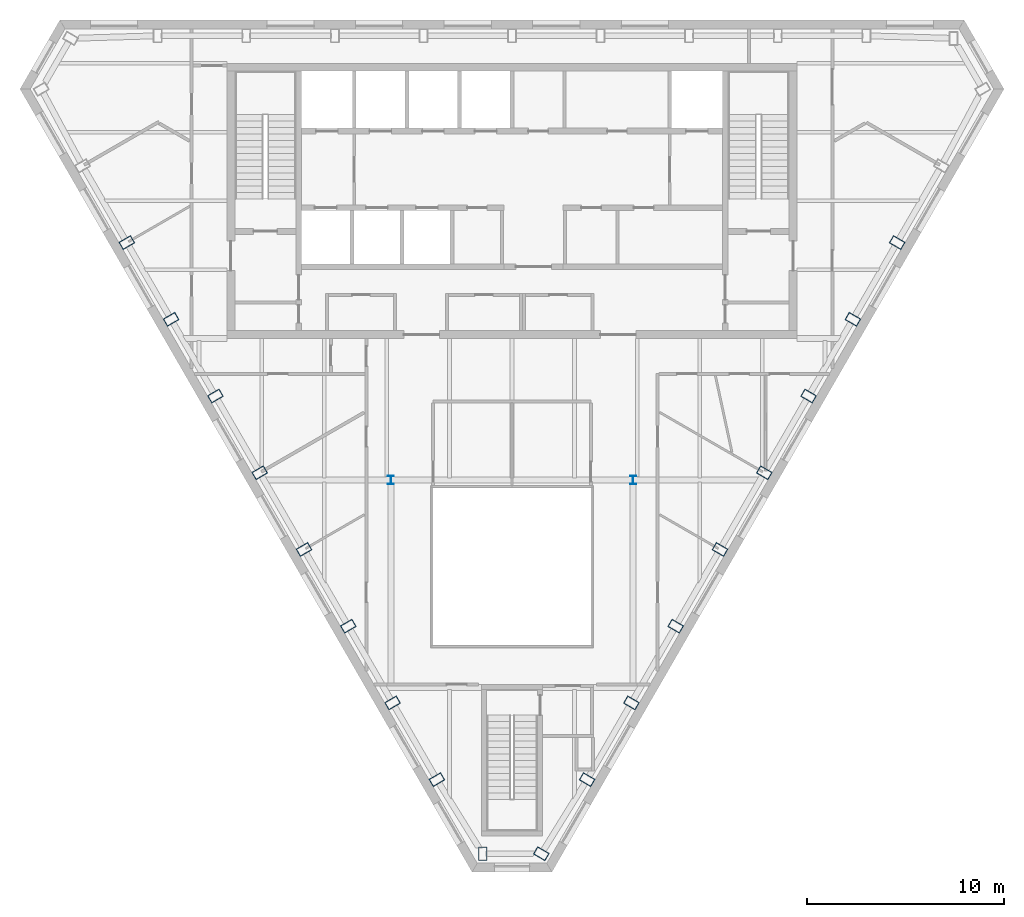
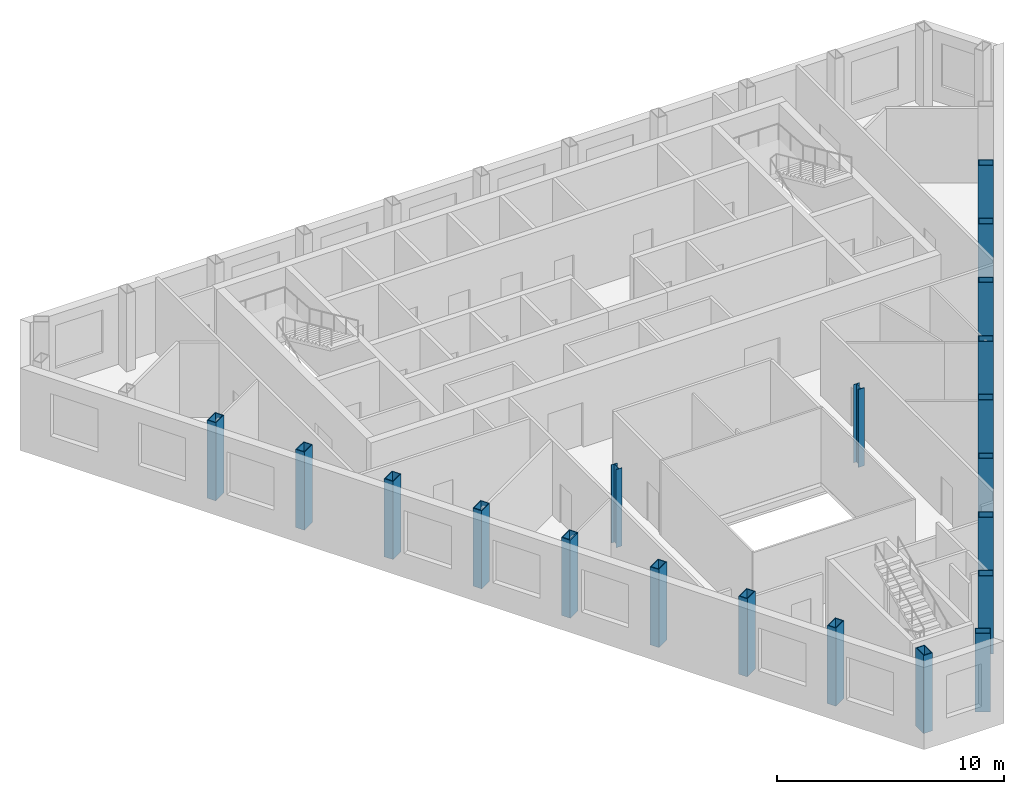
# One storey, part 1 of 10: 20 columns.
"""IFC4 building model written with IfcOpenShell, lengths in metres."""

from ifc_helpers import new_model, si_unit, direction, frame, origin, origin_2d, place, context, subcontext, project, spatial, hollow_rectangle, i_section, extrude, material, material_profile, profile_set, type_object, element, save


model = new_model("IFC4")

# Units and contexts
model_context = context("Model", 3, precision=1e-05, world=origin(), true_north=direction((0.0, 1.0)))
body_context = subcontext(model_context, "Body", "Model", "MODEL_VIEW")
ifc_project = project(units=[si_unit("LENGTHUNIT", "METRE"), si_unit("AREAUNIT", "SQUARE_METRE"), si_unit("VOLUMEUNIT", "CUBIC_METRE"), si_unit("PLANEANGLEUNIT", "RADIAN"), si_unit("MASSUNIT", "GRAM", prefix="KILO")], contexts=[model_context])

# Site, building, storey
site_placement = place(None, origin())
site = spatial("IfcSite", under=ifc_project, at=site_placement, CompositionType="ELEMENT")
building_placement = place(site_placement, origin())
building = spatial("IfcBuilding", under=site, at=building_placement, Name="Njiva Tower", CompositionType="ELEMENT")
storey_placement = place(building_placement, frame((0.0, 0.0, 333.6)))
storey = spatial("IfcBuildingStorey", under=building, at=storey_placement, Name="L76", CompositionType="ELEMENT", Elevation=333.6)

# Columns
ifc_material = material(Name="Steel S355 J2", Category="steel")
ifc_material_profile_1 = material_profile(ifc_material, hollow_rectangle(XDim=0.45, YDim=0.7, WallThickness=0.04, at=origin_2d()), Name="BOX 700x450x40")
ifc_profile_set_1 = profile_set([ifc_material_profile_1], Name="Steel S355 J2")
column_type_1 = type_object("IfcColumnType", Name="C15 Perimeter tube column BOX 700x450x40", PredefinedType="COLUMN", material=ifc_profile_set_1)
for number, where, z_axis, x_axis, name in (
    (1, (-19.595, 8.878, 0.0), (0.0, 0.0, 1.0), (0.5, -0.866025403784, 0.0), "Perimeter tube column S26-C14"),
    (2, (-17.341, 4.975, 0.0), (0.0, 0.0, 1.0), (0.5, -0.866025403784, 0.0), "Perimeter tube column S26-C15"),
    (3, (-15.088, 1.073, 0.0), (0.0, 0.0, 1.0), (0.5, -0.866025403784, 0.0), "Perimeter tube column S26-C16"),
    (4, (-12.835, -2.83, 0.0), (0.0, 0.0, 1.0), (0.5, -0.866025403784, 0.0), "Perimeter tube column S26-C17"),
    (5, (-10.581, -6.733, 0.0), (0.0, 0.0, 1.0), (0.5, -0.866025403784, 0.0), "Perimeter tube column S26-C18"),
    (6, (-8.328, -10.636, 0.0), (0.0, 0.0, 1.0), (0.5, -0.866025403784, 0.0), "Perimeter tube column S26-C19"),
    (7, (-6.075, -14.539, 0.0), (0.0, 0.0, 1.0), (0.5, -0.866025403784, 0.0), "Perimeter tube column S26-C20"),
    (8, (-3.821, -18.442, 0.0), (0.0, 0.0, 1.0), (0.5, -0.866025403784, 0.0), "Perimeter tube column S26-C21"),
    (9, (-1.491, -22.211, 0.0), (0.0, 0.0, 1.0), (1.0, 0.0, 0.0), "Perimeter tube column S26-C22"),
    (10, (1.491, -22.211, 0.0), (0.0, 0.0, 1.0), (0.5, 0.866025403784, 0.0), "Perimeter tube column S26-C23"),
    (11, (3.821, -18.442, 0.0), (0.0, 0.0, 1.0), (0.5, 0.866025403784, 0.0), "Perimeter tube column S26-C24"),
    (12, (6.075, -14.539, 0.0), (0.0, 0.0, 1.0), (0.5, 0.866025403784, 0.0), "Perimeter tube column S26-C25"),
    (13, (8.328, -10.636, 0.0), (0.0, 0.0, 1.0), (0.5, 0.866025403784, 0.0), "Perimeter tube column S26-C26"),
    (14, (10.581, -6.733, 0.0), (0.0, 0.0, 1.0), (0.5, 0.866025403784, 0.0), "Perimeter tube column S26-C27"),
    (15, (12.835, -2.83, 0.0), (0.0, 0.0, 1.0), (0.5, 0.866025403784, 0.0), "Perimeter tube column S26-C28"),
    (16, (15.088, 1.073, 0.0), (0.0, 0.0, 1.0), (0.5, 0.866025403784, 0.0), "Perimeter tube column S26-C29"),
    (17, (17.341, 4.975, 0.0), (0.0, 0.0, 1.0), (0.5, 0.866025403784, 0.0), "Perimeter tube column S26-C30"),
    (18, (19.595, 8.878, 0.0), (0.0, 0.0, 1.0), (0.5, 0.866025403784, 0.0), "Perimeter tube column S26-C31"),
):
    element("IfcColumn", number, at=place(storey_placement, frame(where, z_axis=z_axis, x_axis=x_axis)), inside=storey, type_object=column_type_1, Name=name, PredefinedType="COLUMN", context=body_context, shape_type="SweptSolid", body=[
        extrude(hollow_rectangle(XDim=0.45, YDim=0.7, WallThickness=0.04, at=origin_2d()), origin(), (0.0, 0.0, 1.0), 4.2),
    ])
ifc_material_profile_2 = material_profile(ifc_material, i_section(OverallWidth=0.3, OverallDepth=0.45, WebThickness=0.014, FlangeThickness=0.026, at=origin_2d()), Name="HEB 450")
ifc_profile_set_2 = profile_set([ifc_material_profile_2], Name="Steel S355 J2")
column_type_2 = type_object("IfcColumnType", Name="C16 Interior column HEB 450", PredefinedType="COLUMN", material=ifc_profile_set_2)
for number, where, z_axis, x_axis, name in (
    (19, (6.16, -3.2, 0.0), (0.0, 0.0, 1.0), (1.0, 0.0, 0.0), "Interior column S26-C34"),
    (20, (-6.16, -3.2, 0.0), (0.0, 0.0, 1.0), (1.0, 0.0, 0.0), "Interior column S26-C35"),
):
    element("IfcColumn", number, at=place(storey_placement, frame(where, z_axis=z_axis, x_axis=x_axis)), inside=storey, type_object=column_type_2, Name=name, PredefinedType="COLUMN", context=body_context, shape_type="SweptSolid", body=[
        extrude(i_section(OverallWidth=0.3, OverallDepth=0.45, WebThickness=0.014, FlangeThickness=0.026, at=origin_2d()), origin(), (0.0, 0.0, 1.0), 4.2),
    ])

save(model, "model.ifc")
